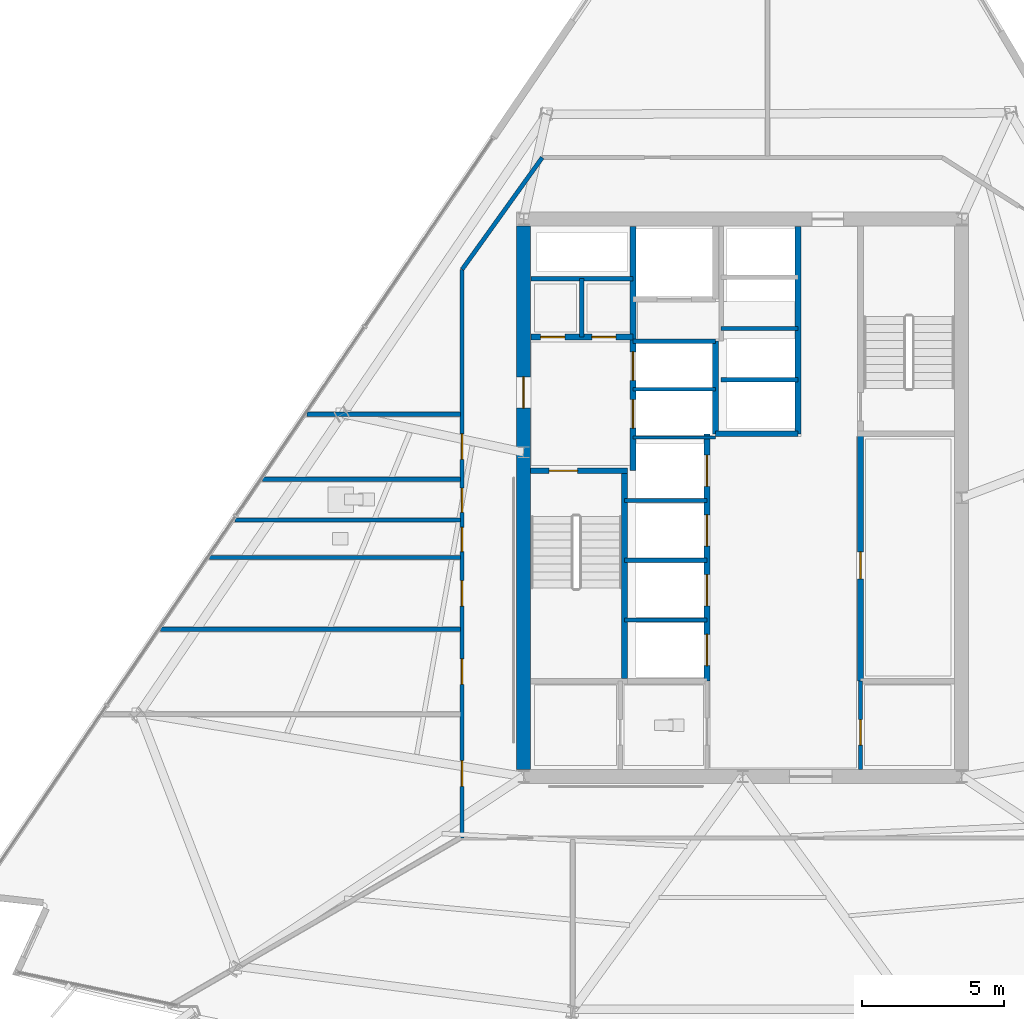
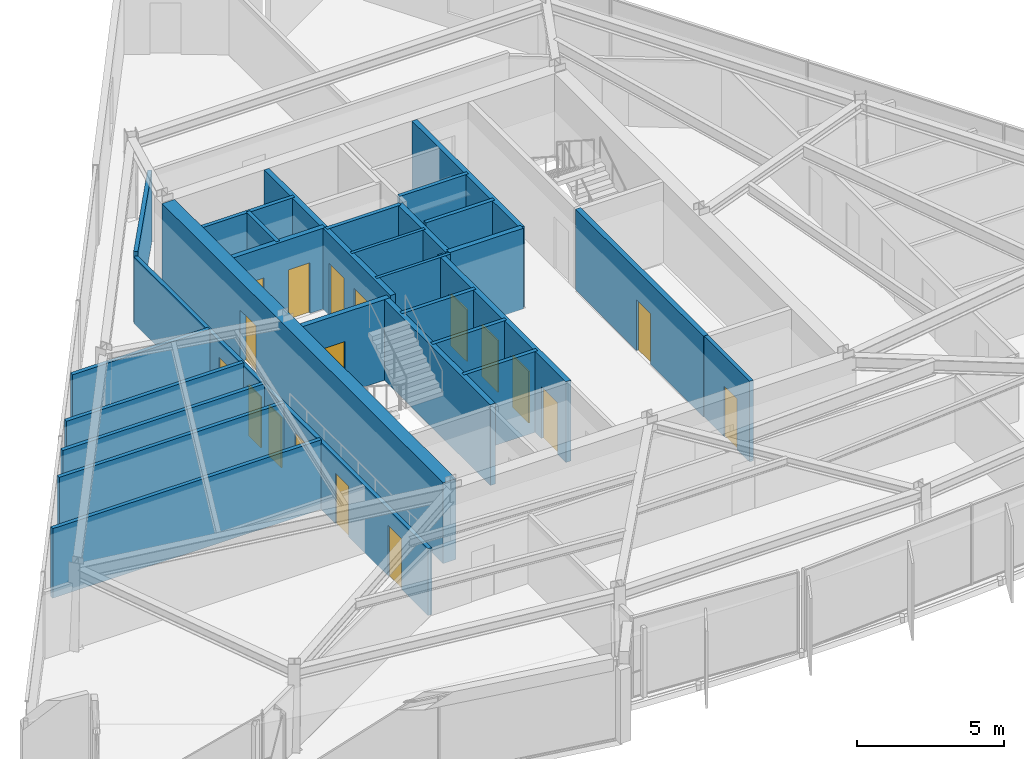
# One storey, part 9 of 16: 28 walls, 18 doors, 18 openings.
"""IFC4 building model written with IfcOpenShell, lengths in metres."""

from ifc_helpers import new_model, si_unit, direction, frame, frame_2d, origin, place, context, subcontext, project, spatial, rectangle, extrude, material, layer, layer_set, type_object, element, fill, save


model = new_model("IFC4")

# Units and contexts
model_context = context("Model", 3, precision=1e-05, world=origin(), true_north=direction((0.0, 1.0)))
body_context = subcontext(model_context, "Body", "Model", "MODEL_VIEW")
ifc_project = project(units=[si_unit("LENGTHUNIT", "METRE"), si_unit("AREAUNIT", "SQUARE_METRE"), si_unit("VOLUMEUNIT", "CUBIC_METRE"), si_unit("PLANEANGLEUNIT", "RADIAN"), si_unit("MASSUNIT", "GRAM", prefix="KILO")], contexts=[model_context])

# Site, building, storey
site_placement = place(None, origin())
site = spatial("IfcSite", under=ifc_project, at=site_placement, CompositionType="ELEMENT")
building_placement = place(site_placement, origin())
building = spatial("IfcBuilding", under=site, at=building_placement, Name="Savorim Split Tower", CompositionType="ELEMENT")
storey_placement = place(building_placement, frame((0.0, 0.0, 153.0)))
storey = spatial("IfcBuildingStorey", under=building, at=storey_placement, Name="L40", CompositionType="ELEMENT", Elevation=153.0)

# Wall, opening, door
ifc_material_1 = material(Name="Concrete C60/75", Category="concrete")
ifc_layer_1 = layer(ifc_material_1, 0.5)
ifc_layer_set_1 = layer_set([ifc_layer_1], Name="WAL-COR-SH500")
wall_type_1 = type_object("IfcWallType", Name="WAL-COR-SH500", PredefinedType="SHEAR", material=ifc_layer_set_1)
wall_1_placement = place(storey_placement, frame((-7.699951171875, -9.14990234375, 0.0), z_axis=(0.0, 0.0, 1.0), x_axis=(0.0, 1.0, 0.0)))
wall_1 = element("IfcWall", 1, at=wall_1_placement, inside=storey, type_object=wall_type_1, Name="L40 Offset Core West Shear Wall", PredefinedType="SHEAR", context=body_context, shape_type="SweptSolid", body=[
    extrude(rectangle(XDim=19.099853515625, YDim=0.5, at=frame_2d((9.5498046875, 0.0))), origin(), (0.0, 0.0, 1.0), 3.35009765625),
])
opening_1_placement = place(wall_1_placement, frame((12.699951171875, 0.0, 0.0)))
opening_1 = element("IfcOpeningElement", 2, at=opening_1_placement, cuts=wall_1, Name="Opening DI-03", PredefinedType="OPENING", context=body_context, shape_type="SweptSolid", body=[
    extrude(rectangle(XDim=1.10009765625, YDim=2.14990234375, at=frame_2d((0.550048828125, 1.074951171875))), frame((0.0, 0.260009765625, 0.0), z_axis=(0.0, -1.0, 0.0), x_axis=(1.0, 0.0, 0.0)), (0.0, 0.0, 1.0), 0.52001953125),
])
ifc_material_2 = material(Name="Timber Fire Door Leaf", Category="wood")
door_type_1 = type_object("IfcDoorType", Name="DOR-FIR-1100", OperationType="NOTDEFINED", PredefinedType="DOOR", material=ifc_material_2)
door_1_placement = place(opening_1_placement, origin())
door_1 = element("IfcDoor", 3, at=door_1_placement, inside=storey, type_object=door_type_1, Name="DOR-L40-COR-FFLOB - L40 Firefighting Lobby Corridor Door", OperationType="SINGLE_SWING_RIGHT", OverallHeight=2.14990234375, OverallWidth=1.10009765625, PredefinedType="DOOR", context=body_context, shape_type="SweptSolid", body=[
    extrude(rectangle(XDim=1.10009765625, YDim=2.14990234375, at=frame_2d((0.550048828125, 1.074951171875))), frame((0.0, 0.02490234375, 0.0), z_axis=(0.0, -1.0, 0.0), x_axis=(1.0, 0.0, 0.0)), (0.0, 0.0, 1.0), 0.050048828125),
])
fill(opening_1, door_1)

ifc_material_3 = material(Name="Concrete C50/60", Category="concrete")
ifc_layer_2 = layer(ifc_material_3, 0.199951171875)
ifc_layer_set_2 = layer_set([ifc_layer_2], Name="WAL-INT-RC200")
wall_type_2 = type_object("IfcWallType", Name="WAL-INT-RC200", PredefinedType="SOLIDWALL", material=ifc_layer_set_2)
wall_2_placement = place(storey_placement, frame((-7.449951171875, 1.35009765625, 0.0), z_axis=(0.0, 0.0, 1.0), x_axis=(1.0, 0.0, 0.0)))
wall_2 = element("IfcWall", 4, at=wall_2_placement, inside=storey, type_object=wall_type_2, Name="L40 Structural Shaft Wall W-L40-CR01", PredefinedType="SOLIDWALL", context=body_context, shape_type="SweptSolid", body=[
    extrude(rectangle(XDim=3.39990234375, YDim=0.199951171875, at=frame_2d((1.699951171875, 0.0))), origin(), (0.0, 0.0, 1.0), 3.35009765625),
])
opening_2_placement = place(wall_2_placement, frame((0.64990234375, 0.0, 0.0)))
opening_2 = element("IfcOpeningElement", 5, at=opening_2_placement, cuts=wall_2, Name="Opening DI-04", PredefinedType="OPENING", context=body_context, shape_type="SweptSolid", body=[
    extrude(rectangle(XDim=1.0, YDim=2.14990234375, at=frame_2d((0.5, 1.074951171875))), frame((0.0, 0.10986328125, 0.0), z_axis=(0.0, -1.0, 0.0), x_axis=(1.0, 0.0, 0.0)), (0.0, 0.0, 1.0), 0.219970703125),
])
door_type_2 = type_object("IfcDoorType", Name="DOR-FIR-1000", OperationType="NOTDEFINED", PredefinedType="DOOR", material=ifc_material_2)
door_2_placement = place(opening_2_placement, origin())
door_2 = element("IfcDoor", 6, at=door_2_placement, inside=storey, type_object=door_type_2, Name="DR-L40-ST1 - L40 Stair ST-1 Enclosure Door", OperationType="SINGLE_SWING_LEFT", OverallHeight=2.14990234375, OverallWidth=1.0, PredefinedType="DOOR", context=body_context, shape_type="SweptSolid", body=[
    extrude(rectangle(XDim=1.0, YDim=2.14990234375, at=frame_2d((0.5, 1.074951171875))), frame((0.0, 0.02490234375, 0.0), z_axis=(0.0, -1.0, 0.0), x_axis=(1.0, 0.0, 0.0)), (0.0, 0.0, 1.0), 0.050048828125),
])
fill(opening_2, door_2)

# Wall
wall_3_placement = place(storey_placement, frame((-4.14990234375, -5.949951171875, 0.0), z_axis=(0.0, 0.0, 1.0), x_axis=(0.0, 1.0, 0.0)))
element("IfcWall", 7, at=wall_3_placement, inside=storey, type_object=wall_type_2, Name="L40 Structural Shaft Wall W-L40-CR02", PredefinedType="SOLIDWALL", context=body_context, shape_type="SweptSolid", body=[
    extrude(rectangle(XDim=7.199951171875, YDim=0.199951171875, at=frame_2d((3.60009765625, 0.0))), origin(), (0.0, 0.0, 1.0), 3.35009765625),
])

# Wall, openings, doors
wall_4_placement = place(storey_placement, frame((-3.85009765625, 1.35009765625, 0.0), z_axis=(0.0, 0.0, 1.0), x_axis=(0.0, 1.0, 0.0)))
wall_4 = element("IfcWall", 8, at=wall_4_placement, inside=storey, type_object=wall_type_2, Name="L40 Partition W-L40-CR03", PredefinedType="SOLIDWALL", context=body_context, shape_type="SweptSolid", body=[
    extrude(rectangle(XDim=8.594970703125, YDim=0.199951171875, at=frame_2d((4.29736328125, 0.0))), origin(), (0.0, 0.0, 1.0), 3.35009765625),
])
opening_3_placement = place(wall_4_placement, frame((1.5, 0.0, 0.0)))
opening_3 = element("IfcOpeningElement", 9, at=opening_3_placement, cuts=wall_4, Name="Opening LD-FFL", PredefinedType="OPENING", context=body_context, shape_type="SweptSolid", body=[
    extrude(rectangle(XDim=1.0, YDim=2.14990234375, at=frame_2d((0.5, 1.074951171875))), frame((0.0, 0.10986328125, 0.0), z_axis=(0.0, -1.0, 0.0), x_axis=(1.0, 0.0, 0.0)), (0.0, 0.0, 1.0), 0.219970703125),
])
opening_4_placement = place(wall_4_placement, frame((3.179931640625, 0.0, 0.0)))
opening_4 = element("IfcOpeningElement", 10, at=opening_4_placement, cuts=wall_4, Name="Opening LD-FFL", PredefinedType="OPENING", context=body_context, shape_type="SweptSolid", body=[
    extrude(rectangle(XDim=1.0, YDim=2.14990234375, at=frame_2d((0.5, 1.074951171875))), frame((0.0, 0.10986328125, 0.0), z_axis=(0.0, -1.0, 0.0), x_axis=(1.0, 0.0, 0.0)), (0.0, 0.0, 1.0), 0.219970703125),
])
ifc_material_4 = material(Name="Charcoal Anodised Aluminium", Category="aluminium")
door_type_3 = type_object("IfcDoorType", Name="DOR-SLD-LD1000", OperationType="NOTDEFINED", PredefinedType="DOOR", material=ifc_material_4)
door_3_placement = place(opening_3_placement, origin())
door_3 = element("IfcDoor", 11, at=door_3_placement, inside=storey, type_object=door_type_3, Name="DR-L40-LD-FFL1 - L40 Firefighting Lift FFL-1 Sliding Landing Door", OperationType="DOUBLE_DOOR_SLIDING", OverallHeight=2.14990234375, OverallWidth=1.0, PredefinedType="DOOR", context=body_context, shape_type="SweptSolid", body=[
    extrude(rectangle(XDim=1.0, YDim=2.14990234375, at=frame_2d((0.5, 1.074951171875))), frame((0.0, 0.02490234375, 0.0), z_axis=(0.0, -1.0, 0.0), x_axis=(1.0, 0.0, 0.0)), (0.0, 0.0, 1.0), 0.050048828125),
])
fill(opening_3, door_3)
door_4_placement = place(opening_4_placement, origin())
door_4 = element("IfcDoor", 12, at=door_4_placement, inside=storey, type_object=door_type_3, Name="DR-L40-LD-FFL2 - L40 Firefighting Lift FFL-2 Sliding Landing Door", OperationType="DOUBLE_DOOR_SLIDING", OverallHeight=2.14990234375, OverallWidth=1.0, PredefinedType="DOOR", context=body_context, shape_type="SweptSolid", body=[
    extrude(rectangle(XDim=1.0, YDim=2.14990234375, at=frame_2d((0.5, 1.074951171875))), frame((0.0, 0.02490234375, 0.0), z_axis=(0.0, -1.0, 0.0), x_axis=(1.0, 0.0, 0.0)), (0.0, 0.0, 1.0), 0.050048828125),
])
fill(opening_4, door_4)

wall_5_placement = place(storey_placement, frame((-7.445068359375, 6.050048828125, 0.0), z_axis=(0.0, 0.0, 1.0), x_axis=(1.0, 0.0, 0.0)))
wall_5 = element("IfcWall", 13, at=wall_5_placement, inside=storey, type_object=wall_type_2, Name="L40 Partition W-L40-CR04", PredefinedType="SOLIDWALL", context=body_context, shape_type="SweptSolid", body=[
    extrude(rectangle(XDim=3.594970703125, YDim=0.199951171875, at=frame_2d((1.79736328125, 0.0))), origin(), (0.0, 0.0, 1.0), 3.35009765625),
])
opening_5_placement = place(wall_5_placement, frame((0.344970703125, 0.0, 0.0)))
opening_5 = element("IfcOpeningElement", 14, at=opening_5_placement, cuts=wall_5, Name="Opening DI-12", PredefinedType="OPENING", context=body_context, shape_type="SweptSolid", body=[
    extrude(rectangle(XDim=0.85009765625, YDim=2.10009765625, at=frame_2d((0.425048828125, 1.050048828125))), frame((0.0, 0.10986328125, 0.0), z_axis=(0.0, -1.0, 0.0), x_axis=(1.0, 0.0, 0.0)), (0.0, 0.0, 1.0), 0.219970703125),
])
opening_6_placement = place(wall_5_placement, frame((2.14501953125, 0.0, 0.0)))
opening_6 = element("IfcOpeningElement", 15, at=opening_6_placement, cuts=wall_5, Name="Opening DI-12", PredefinedType="OPENING", context=body_context, shape_type="SweptSolid", body=[
    extrude(rectangle(XDim=0.85009765625, YDim=2.10009765625, at=frame_2d((0.425048828125, 1.050048828125))), frame((0.0, 0.10986328125, 0.0), z_axis=(0.0, -1.0, 0.0), x_axis=(1.0, 0.0, 0.0)), (0.0, 0.0, 1.0), 0.219970703125),
])
ifc_material_5 = material(Name="Galvanised Painted Steel Balustrade", Category="steel")
door_type_4 = type_object("IfcDoorType", Name="DOR-RIS-850", OperationType="NOTDEFINED", PredefinedType="DOOR", material=ifc_material_5)
door_5_placement = place(opening_5_placement, origin())
door_5 = element("IfcDoor", 16, at=door_5_placement, inside=storey, type_object=door_type_4, Name="DR-L40-ELR - L40 Electrical Riser Access Door", OperationType="SINGLE_SWING_RIGHT", OverallHeight=2.10009765625, OverallWidth=0.85009765625, PredefinedType="DOOR", context=body_context, shape_type="SweptSolid", body=[
    extrude(rectangle(XDim=0.85009765625, YDim=2.10009765625, at=frame_2d((0.425048828125, 1.050048828125))), frame((0.0, 0.02490234375, 0.0), z_axis=(0.0, -1.0, 0.0), x_axis=(1.0, 0.0, 0.0)), (0.0, 0.0, 1.0), 0.050048828125),
])
fill(opening_5, door_5)
door_6_placement = place(opening_6_placement, origin())
door_6 = element("IfcDoor", 17, at=door_6_placement, inside=storey, type_object=door_type_4, Name="DR-L40-TLR - L40 Telecom Riser Access Door", OperationType="SINGLE_SWING_LEFT", OverallHeight=2.10009765625, OverallWidth=0.85009765625, PredefinedType="DOOR", context=body_context, shape_type="SweptSolid", body=[
    extrude(rectangle(XDim=0.85009765625, YDim=2.10009765625, at=frame_2d((0.425048828125, 1.050048828125))), frame((0.0, 0.02490234375, 0.0), z_axis=(0.0, -1.0, 0.0), x_axis=(1.0, 0.0, 0.0)), (0.0, 0.0, 1.0), 0.050048828125),
])
fill(opening_6, door_6)

# Wall
wall_6_placement = place(storey_placement, frame((-0.949951171875, 2.64990234375, 0.0), z_axis=(0.0, 0.0, 1.0), x_axis=(0.0, 1.0, 0.0)))
element("IfcWall", 18, at=wall_6_placement, inside=storey, type_object=wall_type_2, Name="L40 Partition W-L40-FFLW", PredefinedType="SOLIDWALL", context=body_context, shape_type="SweptSolid", body=[
    extrude(rectangle(XDim=3.27001953125, YDim=0.199951171875, at=frame_2d((1.635009765625, 0.0))), origin(), (0.0, 0.0, 1.0), 3.35009765625),
])

# Wall, opening, door
wall_7_placement = place(storey_placement, frame((4.14990234375, -6.050048828125, 0.0), z_axis=(0.0, 0.0, 1.0), x_axis=(0.0, 1.0, 0.0)))
wall_7 = element("IfcWall", 19, at=wall_7_placement, inside=storey, type_object=wall_type_2, Name="L40 Partition W-L40-B1FRONT", PredefinedType="SOLIDWALL", context=body_context, shape_type="SweptSolid", body=[
    extrude(rectangle(XDim=8.699951171875, YDim=0.199951171875, at=frame_2d((4.35009765625, 0.0))), origin(), (0.0, 0.0, 1.0), 3.35009765625),
])
opening_7_placement = place(wall_7_placement, frame((3.60009765625, 0.0, 0.0)))
opening_7 = element("IfcOpeningElement", 20, at=opening_7_placement, cuts=wall_7, Name="Opening DI-05", PredefinedType="OPENING", context=body_context, shape_type="SweptSolid", body=[
    extrude(rectangle(XDim=0.949951171875, YDim=2.10009765625, at=frame_2d((0.47509765625, 1.050048828125))), frame((0.0, 0.10986328125, 0.0), z_axis=(0.0, -1.0, 0.0), x_axis=(1.0, 0.0, 0.0)), (0.0, 0.0, 1.0), 0.219970703125),
])
door_type_5 = type_object("IfcDoorType", Name="DOR-FIR-950", OperationType="NOTDEFINED", PredefinedType="DOOR", material=ifc_material_2)
door_7_placement = place(opening_7_placement, origin())
door_7 = element("IfcDoor", 21, at=door_7_placement, inside=storey, type_object=door_type_5, Name="DR-L40-LV7B1 - L40 Shared Pantry and Linen Room Door", OperationType="SINGLE_SWING_RIGHT", OverallHeight=2.10009765625, OverallWidth=0.949951171875, PredefinedType="DOOR", context=body_context, shape_type="SweptSolid", body=[
    extrude(rectangle(XDim=0.949951171875, YDim=2.10009765625, at=frame_2d((0.47509765625, 1.050048828125))), frame((0.0, 0.02490234375, 0.0), z_axis=(0.0, -1.0, 0.0), x_axis=(1.0, 0.0, 0.0)), (0.0, 0.0, 1.0), 0.050048828125),
])
fill(opening_7, door_7)

# Wall, openings, doors
wall_8_placement = place(storey_placement, frame((-1.25, -6.050048828125, 0.0), z_axis=(0.0, 0.0, 1.0), x_axis=(0.0, 1.0, 0.0)))
wall_8 = element("IfcWall", 22, at=wall_8_placement, inside=storey, type_object=wall_type_2, Name="L40 Partition W-L40-B2FRONT", PredefinedType="SOLIDWALL", context=body_context, shape_type="SweptSolid", body=[
    extrude(rectangle(XDim=8.699951171875, YDim=0.199951171875, at=frame_2d((4.35009765625, 0.0))), origin(), (0.0, 0.0, 1.0), 3.35009765625),
])
opening_8_placement = place(wall_8_placement, frame((0.550048828125, 0.0, 0.0)))
opening_8 = element("IfcOpeningElement", 23, at=opening_8_placement, cuts=wall_8, Name="Opening LD-02", PredefinedType="OPENING", context=body_context, shape_type="SweptSolid", body=[
    extrude(rectangle(XDim=1.10009765625, YDim=2.14990234375, at=frame_2d((0.550048828125, 1.074951171875))), frame((0.0, 0.10986328125, 0.0), z_axis=(0.0, -1.0, 0.0), x_axis=(1.0, 0.0, 0.0)), (0.0, 0.0, 1.0), 0.219970703125),
])
opening_9_placement = place(wall_8_placement, frame((2.64990234375, 0.0, 0.0)))
opening_9 = element("IfcOpeningElement", 24, at=opening_9_placement, cuts=wall_8, Name="Opening LD-02", PredefinedType="OPENING", context=body_context, shape_type="SweptSolid", body=[
    extrude(rectangle(XDim=1.10009765625, YDim=2.14990234375, at=frame_2d((0.550048828125, 1.074951171875))), frame((0.0, 0.10986328125, 0.0), z_axis=(0.0, -1.0, 0.0), x_axis=(1.0, 0.0, 0.0)), (0.0, 0.0, 1.0), 0.219970703125),
])
opening_10_placement = place(wall_8_placement, frame((4.75, 0.0, 0.0)))
opening_10 = element("IfcOpeningElement", 25, at=opening_10_placement, cuts=wall_8, Name="Opening LD-02", PredefinedType="OPENING", context=body_context, shape_type="SweptSolid", body=[
    extrude(rectangle(XDim=1.10009765625, YDim=2.14990234375, at=frame_2d((0.550048828125, 1.074951171875))), frame((0.0, 0.10986328125, 0.0), z_axis=(0.0, -1.0, 0.0), x_axis=(1.0, 0.0, 0.0)), (0.0, 0.0, 1.0), 0.219970703125),
])
opening_11_placement = place(wall_8_placement, frame((6.85009765625, 0.0, 0.0)))
opening_11 = element("IfcOpeningElement", 26, at=opening_11_placement, cuts=wall_8, Name="Opening LD-02", PredefinedType="OPENING", context=body_context, shape_type="SweptSolid", body=[
    extrude(rectangle(XDim=1.10009765625, YDim=2.14990234375, at=frame_2d((0.550048828125, 1.074951171875))), frame((0.0, 0.10986328125, 0.0), z_axis=(0.0, -1.0, 0.0), x_axis=(1.0, 0.0, 0.0)), (0.0, 0.0, 1.0), 0.219970703125),
])
door_type_6 = type_object("IfcDoorType", Name="DOR-SLD-LDM1100", OperationType="NOTDEFINED", PredefinedType="DOOR", material=ifc_material_4)
door_8_placement = place(opening_8_placement, origin())
door_8 = element("IfcDoor", 27, at=door_8_placement, inside=storey, type_object=door_type_6, Name="DR-L40-LD-PLM1 - L40 Lift PL-M1 Sliding Landing Door", OperationType="DOUBLE_DOOR_SLIDING", OverallHeight=2.14990234375, OverallWidth=1.10009765625, PredefinedType="DOOR", context=body_context, shape_type="SweptSolid", body=[
    extrude(rectangle(XDim=1.10009765625, YDim=2.14990234375, at=frame_2d((0.550048828125, 1.074951171875))), frame((0.0, 0.02490234375, 0.0), z_axis=(0.0, -1.0, 0.0), x_axis=(1.0, 0.0, 0.0)), (0.0, 0.0, 1.0), 0.050048828125),
])
fill(opening_8, door_8)
door_9_placement = place(opening_9_placement, origin())
door_9 = element("IfcDoor", 28, at=door_9_placement, inside=storey, type_object=door_type_6, Name="DR-L40-LD-PLM2 - L40 Lift PL-M2 Sliding Landing Door", OperationType="DOUBLE_DOOR_SLIDING", OverallHeight=2.14990234375, OverallWidth=1.10009765625, PredefinedType="DOOR", context=body_context, shape_type="SweptSolid", body=[
    extrude(rectangle(XDim=1.10009765625, YDim=2.14990234375, at=frame_2d((0.550048828125, 1.074951171875))), frame((0.0, 0.02490234375, 0.0), z_axis=(0.0, -1.0, 0.0), x_axis=(1.0, 0.0, 0.0)), (0.0, 0.0, 1.0), 0.050048828125),
])
fill(opening_9, door_9)
door_10_placement = place(opening_10_placement, origin())
door_10 = element("IfcDoor", 29, at=door_10_placement, inside=storey, type_object=door_type_6, Name="DR-L40-LD-PLM3 - L40 Lift PL-M3 Sliding Landing Door", OperationType="DOUBLE_DOOR_SLIDING", OverallHeight=2.14990234375, OverallWidth=1.10009765625, PredefinedType="DOOR", context=body_context, shape_type="SweptSolid", body=[
    extrude(rectangle(XDim=1.10009765625, YDim=2.14990234375, at=frame_2d((0.550048828125, 1.074951171875))), frame((0.0, 0.02490234375, 0.0), z_axis=(0.0, -1.0, 0.0), x_axis=(1.0, 0.0, 0.0)), (0.0, 0.0, 1.0), 0.050048828125),
])
fill(opening_10, door_10)
door_11_placement = place(opening_11_placement, origin())
door_11 = element("IfcDoor", 30, at=door_11_placement, inside=storey, type_object=door_type_6, Name="DR-L40-LD-PLM4 - L40 Lift PL-M4 Sliding Landing Door", OperationType="DOUBLE_DOOR_SLIDING", OverallHeight=2.14990234375, OverallWidth=1.10009765625, PredefinedType="DOOR", context=body_context, shape_type="SweptSolid", body=[
    extrude(rectangle(XDim=1.10009765625, YDim=2.14990234375, at=frame_2d((0.550048828125, 1.074951171875))), frame((0.0, 0.02490234375, 0.0), z_axis=(0.0, -1.0, 0.0), x_axis=(1.0, 0.0, 0.0)), (0.0, 0.0, 1.0), 0.050048828125),
])
fill(opening_11, door_11)

# Walls
wall_9_placement = place(storey_placement, frame((1.949951171875, 2.64990234375, 0.0), z_axis=(0.0, 0.0, 1.0), x_axis=(0.0, 1.0, 0.0)))
element("IfcWall", 31, at=wall_9_placement, inside=storey, type_object=wall_type_2, Name="L40 Partition W-L40-B3FRONT", PredefinedType="SOLIDWALL", context=body_context, shape_type="SweptSolid", body=[
    extrude(rectangle(XDim=7.295166015625, YDim=0.199951171875, at=frame_2d((3.6474609375, 0.0))), origin(), (0.0, 0.0, 1.0), 3.35009765625),
])
wall_10_placement = place(storey_placement, frame((-0.949951171875, 2.64990234375, 0.0), z_axis=(0.0, 0.0, 1.0), x_axis=(1.0, 0.0, 0.0)))
element("IfcWall", 32, at=wall_10_placement, inside=storey, type_object=wall_type_2, Name="L40 Partition W-L40-B3SOUTH", PredefinedType="SOLIDWALL", context=body_context, shape_type="SweptSolid", body=[
    extrude(rectangle(XDim=2.89990234375, YDim=0.199951171875, at=frame_2d((1.449951171875, 0.0))), origin(), (0.0, 0.0, 1.0), 3.35009765625),
])
ifc_material_6 = material(Name="Acoustic Gypsum Partition Board")
ifc_layer_3 = layer(ifc_material_6, 0.1201171875)
ifc_layer_set_3 = layer_set([ifc_layer_3], Name="WAL-PAR-120")
wall_type_3 = type_object("IfcWallType", Name="WAL-PAR-120", PredefinedType="PARTITIONING", material=ifc_layer_set_3)
for number, where, z_axis, x_axis, name in (
    (33, (-3.85009765625, 2.52001953125, 0.0), (0.0, 0.0, 1.0), (1.0, 0.0, 0.0), "L40 Partition W-L40-FFLD0"),
    (34, (-3.85009765625, 4.219970703125, 0.0), (0.0, 0.0, 1.0), (1.0, 0.0, 0.0), "L40 Partition W-L40-FFLD1"),
):
    element("IfcWall", number, at=place(storey_placement, frame(where, z_axis=z_axis, x_axis=x_axis)), inside=storey, type_object=wall_type_3, Name=name, PredefinedType="PARTITIONING", context=body_context, shape_type="SweptSolid", body=[
        extrude(rectangle(XDim=2.900146484375, YDim=0.1201171875, at=frame_2d((1.4501953125, 0.0))), origin(), (0.0, 0.0, 1.0), 3.35009765625),
    ])
ifc_layer_4 = layer(ifc_material_6, 0.14990234375)
ifc_layer_set_4 = layer_set([ifc_layer_4], Name="WAL-PAR-150")
wall_type_4 = type_object("IfcWallType", Name="WAL-PAR-150", PredefinedType="PARTITIONING", material=ifc_layer_set_4)
wall_11_placement = place(storey_placement, frame((-7.445068359375, 8.10009765625, 0.0), z_axis=(0.0, 0.0, 1.0), x_axis=(1.0, 0.0, 0.0)))
element("IfcWall", 35, at=wall_11_placement, inside=storey, type_object=wall_type_4, Name="L40 Partition W-L40-CR05", PredefinedType="PARTITIONING", context=body_context, shape_type="SweptSolid", body=[
    extrude(rectangle(XDim=3.594970703125, YDim=0.14990234375, at=frame_2d((1.79736328125, 0.0))), origin(), (0.0, 0.0, 1.0), 3.35009765625),
])
wall_12_placement = place(storey_placement, frame((-5.64990234375, 6.050048828125, 0.0), z_axis=(0.0, 0.0, 1.0), x_axis=(0.0, 1.0, 0.0)))
element("IfcWall", 36, at=wall_12_placement, inside=storey, type_object=wall_type_4, Name="L40 Partition W-L40-CR06", PredefinedType="PARTITIONING", context=body_context, shape_type="SweptSolid", body=[
    extrude(rectangle(XDim=2.050048828125, YDim=0.14990234375, at=frame_2d((1.02490234375, 0.0))), origin(), (0.0, 0.0, 1.0), 3.35009765625),
])
wall_13_placement = place(storey_placement, frame((-3.85009765625, 5.89990234375, 0.0), z_axis=(0.0, 0.0, 1.0), x_axis=(1.0, 0.0, 0.0)))
element("IfcWall", 37, at=wall_13_placement, inside=storey, type_object=wall_type_4, Name="L40 Partition W-L40-FFLD2", PredefinedType="PARTITIONING", context=body_context, shape_type="SweptSolid", body=[
    extrude(rectangle(XDim=2.900146484375, YDim=0.14990234375, at=frame_2d((1.4501953125, 0.0))), origin(), (0.0, 0.0, 1.0), 3.35009765625),
])
for number, where, z_axis, x_axis, name in (
    (38, (-4.14990234375, -3.89990234375, 0.0), (0.0, 0.0, 1.0), (1.0, 0.0, 0.0), "L40 Partition W-L40-B2DIV1"),
    (39, (-4.14990234375, -1.800048828125, 0.0), (0.0, 0.0, 1.0), (1.0, 0.0, 0.0), "L40 Partition W-L40-B2DIV2"),
    (40, (-4.14990234375, 0.300048828125, 0.0), (0.0, 0.0, 1.0), (1.0, 0.0, 0.0), "L40 Partition W-L40-B2DIV3"),
):
    element("IfcWall", number, at=place(storey_placement, frame(where, z_axis=z_axis, x_axis=x_axis)), inside=storey, type_object=wall_type_4, Name=name, PredefinedType="PARTITIONING", context=body_context, shape_type="SweptSolid", body=[
        extrude(rectangle(XDim=2.89990234375, YDim=0.14990234375, at=frame_2d((1.449951171875, 0.0))), origin(), (0.0, 0.0, 1.0), 3.35009765625),
    ])
for number, where, z_axis, x_axis, name in (
    (41, (-0.75, 4.550048828125, 0.0), (0.0, 0.0, 1.0), (1.0, 0.0, 0.0), "L40 Partition W-L40-B3DIV1"),
    (42, (-0.75, 6.35009765625, 0.0), (0.0, 0.0, 1.0), (1.0, 0.0, 0.0), "L40 Partition W-L40-B3DIV2"),
):
    element("IfcWall", number, at=place(storey_placement, frame(where, z_axis=z_axis, x_axis=x_axis)), inside=storey, type_object=wall_type_4, Name=name, PredefinedType="PARTITIONING", context=body_context, shape_type="SweptSolid", body=[
        extrude(rectangle(XDim=2.699951171875, YDim=0.14990234375, at=frame_2d((1.35009765625, 0.0))), origin(), (0.0, 0.0, 1.0), 3.35009765625),
    ])

# Wall, opening, door
wall_14_placement = place(storey_placement, frame((4.14990234375, -9.14501953125, 0.0), z_axis=(0.0, 0.0, 1.0), x_axis=(0.0, 1.0, 0.0)))
wall_14 = element("IfcWall", 43, at=wall_14_placement, inside=storey, type_object=wall_type_4, Name="L40 Partition W-L40-KLOB-E", PredefinedType="PARTITIONING", context=body_context, shape_type="SweptSolid", body=[
    extrude(rectangle(XDim=3.094970703125, YDim=0.14990234375, at=frame_2d((1.54736328125, 0.0))), origin(), (0.0, 0.0, 1.0), 3.35009765625),
])
opening_12_placement = place(wall_14_placement, frame((0.844970703125, 0.0, 0.0)))
opening_12 = element("IfcOpeningElement", 44, at=opening_12_placement, cuts=wall_14, Name="Opening DI-06", PredefinedType="OPENING", context=body_context, shape_type="SweptSolid", body=[
    extrude(rectangle(XDim=0.89990234375, YDim=2.10009765625, at=frame_2d((0.449951171875, 1.050048828125))), frame((0.0, 0.0849609375, 0.0), z_axis=(0.0, -1.0, 0.0), x_axis=(1.0, 0.0, 0.0)), (0.0, 0.0, 1.0), 0.169921875),
])
door_type_7 = type_object("IfcDoorType", Name="DOR-FIR-900", OperationType="NOTDEFINED", PredefinedType="DOOR", material=ifc_material_2)
door_12_placement = place(opening_12_placement, origin())
door_12 = element("IfcDoor", 45, at=door_12_placement, inside=storey, type_object=door_type_7, Name="DR-L40-K1IT - L40 Core IT Room Door", OperationType="SINGLE_SWING_LEFT", OverallHeight=2.10009765625, OverallWidth=0.89990234375, PredefinedType="DOOR", context=body_context, shape_type="SweptSolid", body=[
    extrude(rectangle(XDim=0.89990234375, YDim=2.10009765625, at=frame_2d((0.449951171875, 1.050048828125))), frame((0.0, 0.02490234375, 0.0), z_axis=(0.0, -1.0, 0.0), x_axis=(1.0, 0.0, 0.0)), (0.0, 0.0, 1.0), 0.050048828125),
])
fill(opening_12, door_12)

# Wall, openings, doors
wall_15_placement = place(storey_placement, frame((-9.860107421875, -11.56005859375, 0.0), z_axis=(0.0, 0.0, 1.0), x_axis=(0.0, 1.0, 0.0)))
wall_15 = element("IfcWall", 46, at=wall_15_placement, inside=storey, type_object=wall_type_4, Name="L40 Partition W-L40-COR-01", PredefinedType="PARTITIONING", context=body_context, shape_type="SweptSolid", body=[
    extrude(rectangle(XDim=19.98583984375, YDim=0.14990234375, at=frame_2d((9.992919921875, 0.0))), origin(), (0.0, 0.0, 1.0), 2.77490234375),
])
opening_13_placement = place(wall_15_placement, frame((11.445556640625, 0.0, 0.0)))
opening_13 = element("IfcOpeningElement", 47, at=opening_13_placement, cuts=wall_15, Name="Opening DI-13", PredefinedType="OPENING", context=body_context, shape_type="SweptSolid", body=[
    extrude(rectangle(XDim=0.85009765625, YDim=2.10009765625, at=frame_2d((0.425048828125, 1.050048828125))), frame((0.0, 0.0849609375, 0.0), z_axis=(0.0, -1.0, 0.0), x_axis=(1.0, 0.0, 0.0)), (0.0, 0.0, 1.0), 0.169921875),
])
opening_14_placement = place(wall_15_placement, frame((10.068603515625, 0.0, 0.0)))
opening_14 = element("IfcOpeningElement", 48, at=opening_14_placement, cuts=wall_15, Name="Opening DI-13", PredefinedType="OPENING", context=body_context, shape_type="SweptSolid", body=[
    extrude(rectangle(XDim=0.85009765625, YDim=2.10009765625, at=frame_2d((0.425048828125, 1.050048828125))), frame((0.0, 0.0849609375, 0.0), z_axis=(0.0, -1.0, 0.0), x_axis=(1.0, 0.0, 0.0)), (0.0, 0.0, 1.0), 0.169921875),
])
opening_15_placement = place(wall_15_placement, frame((8.149658203125, 0.0, 0.0)))
opening_15 = element("IfcOpeningElement", 49, at=opening_15_placement, cuts=wall_15, Name="Opening DI-06", PredefinedType="OPENING", context=body_context, shape_type="SweptSolid", body=[
    extrude(rectangle(XDim=0.89990234375, YDim=2.10009765625, at=frame_2d((0.449951171875, 1.050048828125))), frame((0.0, 0.0849609375, 0.0), z_axis=(0.0, -1.0, 0.0), x_axis=(1.0, 0.0, 0.0)), (0.0, 0.0, 1.0), 0.169921875),
])
opening_16_placement = place(wall_15_placement, frame((5.39599609375, 0.0, 0.0)))
opening_16 = element("IfcOpeningElement", 50, at=opening_16_placement, cuts=wall_15, Name="Opening DI-06", PredefinedType="OPENING", context=body_context, shape_type="SweptSolid", body=[
    extrude(rectangle(XDim=0.89990234375, YDim=2.10009765625, at=frame_2d((0.449951171875, 1.050048828125))), frame((0.0, 0.0849609375, 0.0), z_axis=(0.0, -1.0, 0.0), x_axis=(1.0, 0.0, 0.0)), (0.0, 0.0, 1.0), 0.169921875),
])
opening_17_placement = place(wall_15_placement, frame((1.815185546875, 0.0, 0.0)))
opening_17 = element("IfcOpeningElement", 51, at=opening_17_placement, cuts=wall_15, Name="Opening DI-06", PredefinedType="OPENING", context=body_context, shape_type="SweptSolid", body=[
    extrude(rectangle(XDim=0.89990234375, YDim=2.10009765625, at=frame_2d((0.449951171875, 1.050048828125))), frame((0.0, 0.0849609375, 0.0), z_axis=(0.0, -1.0, 0.0), x_axis=(1.0, 0.0, 0.0)), (0.0, 0.0, 1.0), 0.169921875),
])
opening_18_placement = place(wall_15_placement, frame((13.305908203125, 0.0, 0.0)))
opening_18 = element("IfcOpeningElement", 52, at=opening_18_placement, cuts=wall_15, Name="Opening DI-06", PredefinedType="OPENING", context=body_context, shape_type="SweptSolid", body=[
    extrude(rectangle(XDim=0.89990234375, YDim=2.10009765625, at=frame_2d((0.449951171875, 1.050048828125))), frame((0.0, 0.0849609375, 0.0), z_axis=(0.0, -1.0, 0.0), x_axis=(1.0, 0.0, 0.0)), (0.0, 0.0, 1.0), 0.169921875),
])
door_type_8 = type_object("IfcDoorType", Name="DOR-FIR-850", OperationType="NOTDEFINED", PredefinedType="DOOR", material=ifc_material_2)
door_13_placement = place(opening_13_placement, origin())
door_13 = element("IfcDoor", 53, at=door_13_placement, inside=storey, type_object=door_type_8, Name="DR-L40-RM01 - L40 Shared Bathroom Entry Door", OperationType="SINGLE_SWING_RIGHT", OverallHeight=2.10009765625, OverallWidth=0.85009765625, PredefinedType="DOOR", context=body_context, shape_type="SweptSolid", body=[
    extrude(rectangle(XDim=0.85009765625, YDim=2.10009765625, at=frame_2d((0.425048828125, 1.050048828125))), frame((0.0, 0.02490234375, 0.0), z_axis=(0.0, -1.0, 0.0), x_axis=(1.0, 0.0, 0.0)), (0.0, 0.0, 1.0), 0.050048828125),
])
fill(opening_13, door_13)
door_14_placement = place(opening_14_placement, origin())
door_14 = element("IfcDoor", 54, at=door_14_placement, inside=storey, type_object=door_type_8, Name="DR-L40-RM02 - L40 Shared Kitchen Entry Door", OperationType="SINGLE_SWING_LEFT", OverallHeight=2.10009765625, OverallWidth=0.85009765625, PredefinedType="DOOR", context=body_context, shape_type="SweptSolid", body=[
    extrude(rectangle(XDim=0.85009765625, YDim=2.10009765625, at=frame_2d((0.425048828125, 1.050048828125))), frame((0.0, 0.02490234375, 0.0), z_axis=(0.0, -1.0, 0.0), x_axis=(1.0, 0.0, 0.0)), (0.0, 0.0, 1.0), 0.050048828125),
])
fill(opening_14, door_14)
door_15_placement = place(opening_15_placement, origin())
door_15 = element("IfcDoor", 55, at=door_15_placement, inside=storey, type_object=door_type_7, Name="DR-L40-RM03 - L40 Co-Living Bedroom Entry Door", OperationType="SINGLE_SWING_RIGHT", OverallHeight=2.10009765625, OverallWidth=0.89990234375, PredefinedType="DOOR", context=body_context, shape_type="SweptSolid", body=[
    extrude(rectangle(XDim=0.89990234375, YDim=2.10009765625, at=frame_2d((0.449951171875, 1.050048828125))), frame((0.0, 0.02490234375, 0.0), z_axis=(0.0, -1.0, 0.0), x_axis=(1.0, 0.0, 0.0)), (0.0, 0.0, 1.0), 0.050048828125),
])
fill(opening_15, door_15)
door_16_placement = place(opening_16_placement, origin())
door_16 = element("IfcDoor", 56, at=door_16_placement, inside=storey, type_object=door_type_7, Name="DR-L40-RM04 - L40 Co-Working Commons Entry Door", OperationType="SINGLE_SWING_LEFT", OverallHeight=2.10009765625, OverallWidth=0.89990234375, PredefinedType="DOOR", context=body_context, shape_type="SweptSolid", body=[
    extrude(rectangle(XDim=0.89990234375, YDim=2.10009765625, at=frame_2d((0.449951171875, 1.050048828125))), frame((0.0, 0.02490234375, 0.0), z_axis=(0.0, -1.0, 0.0), x_axis=(1.0, 0.0, 0.0)), (0.0, 0.0, 1.0), 0.050048828125),
])
fill(opening_16, door_16)
door_17_placement = place(opening_17_placement, origin())
door_17 = element("IfcDoor", 57, at=door_17_placement, inside=storey, type_object=door_type_7, Name="DR-L40-RM05 - L40 Co-Working Commons Entry Door", OperationType="SINGLE_SWING_RIGHT", OverallHeight=2.10009765625, OverallWidth=0.89990234375, PredefinedType="DOOR", context=body_context, shape_type="SweptSolid", body=[
    extrude(rectangle(XDim=0.89990234375, YDim=2.10009765625, at=frame_2d((0.449951171875, 1.050048828125))), frame((0.0, 0.02490234375, 0.0), z_axis=(0.0, -1.0, 0.0), x_axis=(1.0, 0.0, 0.0)), (0.0, 0.0, 1.0), 0.050048828125),
])
fill(opening_17, door_17)
door_18_placement = place(opening_18_placement, origin())
door_18 = element("IfcDoor", 58, at=door_18_placement, inside=storey, type_object=door_type_7, Name="DR-L40-RM15 - L40 Maker Workshop Entry Door", OperationType="SINGLE_SWING_RIGHT", OverallHeight=2.10009765625, OverallWidth=0.89990234375, PredefinedType="DOOR", context=body_context, shape_type="SweptSolid", body=[
    extrude(rectangle(XDim=0.89990234375, YDim=2.10009765625, at=frame_2d((0.449951171875, 1.050048828125))), frame((0.0, 0.02490234375, 0.0), z_axis=(0.0, -1.0, 0.0), x_axis=(1.0, 0.0, 0.0)), (0.0, 0.0, 1.0), 0.050048828125),
])
fill(opening_18, door_18)

# Walls
wall_16_placement = place(storey_placement, frame((-9.860107421875, 8.42578125, 0.0), z_axis=(0.0, 0.0, 1.0), x_axis=(0.582449511476, 0.812866881218, 0.0)))
element("IfcWall", 59, at=wall_16_placement, inside=storey, type_object=wall_type_4, Name="L40 Partition W-L40-COR-02", PredefinedType="PARTITIONING", context=body_context, shape_type="SweptSolid", body=[
    extrude(rectangle(XDim=4.840087890625, YDim=0.14990234375, at=frame_2d((2.419921875, 0.0))), origin(), (0.0, 0.0, 1.0), 2.965087890625),
])
wall_17_placement = place(storey_placement, frame((-9.919921875, 3.3388671875, 0.0), z_axis=(0.0, 0.0, 1.0), x_axis=(-1.0, 0.0, 0.0)))
element("IfcWall", 60, at=wall_17_placement, inside=storey, type_object=wall_type_4, Name="L40 Partition W-L40-PRAD09", PredefinedType="PARTITIONING", context=body_context, shape_type="SweptSolid", body=[
    extrude(rectangle(XDim=5.3974609375, YDim=0.14990234375, at=frame_2d((2.69873046875, 0.0))), origin(), (0.0, 0.0, 1.0), 2.885009765625),
])
wall_18_placement = place(storey_placement, frame((-9.919921875, -1.70068359375, 0.0), z_axis=(0.0, 0.0, 1.0), x_axis=(-1.0, 0.0, 0.0)))
element("IfcWall", 61, at=wall_18_placement, inside=storey, type_object=wall_type_4, Name="L40 Partition W-L40-SUB01", PredefinedType="PARTITIONING", context=body_context, shape_type="SweptSolid", body=[
    extrude(rectangle(XDim=8.82568359375, YDim=0.14990234375, at=frame_2d((4.412841796875, 0.0))), origin(), (0.0, 0.0, 1.0), 2.885009765625),
])
wall_19_placement = place(storey_placement, frame((-9.919921875, -4.22021484375, 0.0), z_axis=(0.0, 0.0, 1.0), x_axis=(-1.0, 0.0, 0.0)))
element("IfcWall", 62, at=wall_19_placement, inside=storey, type_object=wall_type_4, Name="L40 Partition W-L40-SUB03", PredefinedType="PARTITIONING", context=body_context, shape_type="SweptSolid", body=[
    extrude(rectangle(XDim=10.539794921875, YDim=0.14990234375, at=frame_2d((5.27001953125, 0.0))), origin(), (0.0, 0.0, 1.0), 2.885009765625),
])
wall_20_placement = place(storey_placement, frame((-9.919921875, 1.052978515625, 0.0), z_axis=(0.0, 0.0, 1.0), x_axis=(-1.0, 0.0, 0.0)))
element("IfcWall", 63, at=wall_20_placement, inside=storey, type_object=wall_type_4, Name="L40 Partition W-L40-SUB08", PredefinedType="PARTITIONING", context=body_context, shape_type="SweptSolid", body=[
    extrude(rectangle(XDim=6.952392578125, YDim=0.14990234375, at=frame_2d((3.47607421875, 0.0))), origin(), (0.0, 0.0, 1.0), 2.885009765625),
])
wall_21_placement = place(storey_placement, frame((-9.919921875, -0.382080078125, 0.0), z_axis=(0.0, 0.0, 1.0), x_axis=(-0.999999999526, -3.0791969e-05, 0.0)))
element("IfcWall", 64, at=wall_21_placement, inside=storey, type_object=wall_type_4, Name="L40 Partition W-L40-SUB09", PredefinedType="PARTITIONING", context=body_context, shape_type="SweptSolid", body=[
    extrude(rectangle(XDim=7.9287109375, YDim=0.14990234375, at=frame_2d((3.96435546875, 0.0))), origin(), (0.0, 0.0, 1.0), 2.885009765625),
])

save(model, "model.ifc")
